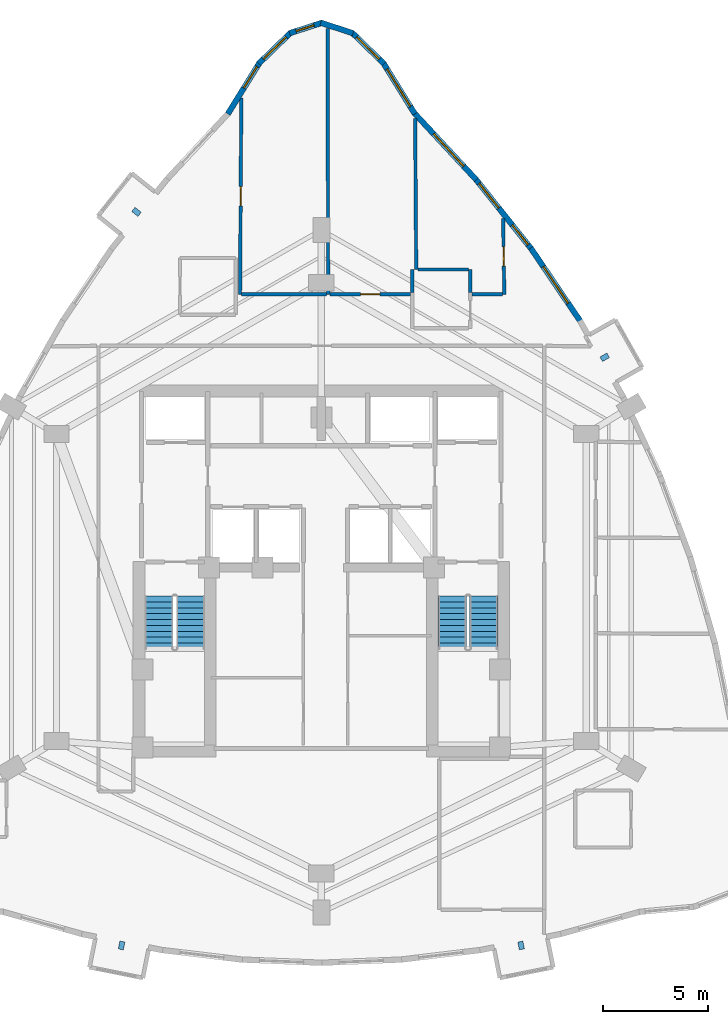
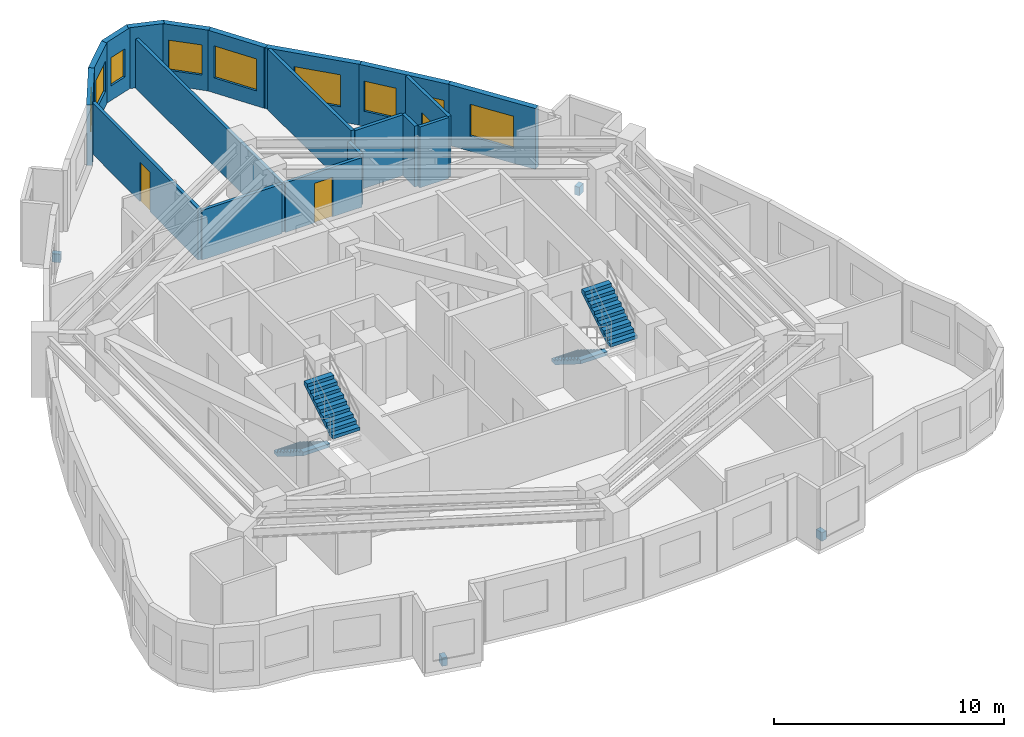
# One storey, part 7 of 8: 19 walls, 9 windows, 4 discrete accessories, 4 stair flights, 3 doors, 12 openings, 2 elements without a shape of their own.
"""IFC4 building model written with IfcOpenShell, lengths in metres."""

from ifc_helpers import new_model, si_unit, direction, frame, frame_2d, origin, origin_2d, place, context, subcontext, project, spatial, polyline, rectangle, outline, extrude, material, layer, layer_set, type_object, element, fill, aggregate, save


model = new_model("IFC4")

# Units and contexts
model_context = context("Model", 3, precision=1e-05, world=origin(), true_north=direction((0.0, 1.0)))
body_context = subcontext(model_context, "Body", "Model", "MODEL_VIEW")
ifc_project = project(units=[si_unit("LENGTHUNIT", "METRE"), si_unit("AREAUNIT", "SQUARE_METRE"), si_unit("VOLUMEUNIT", "CUBIC_METRE"), si_unit("PLANEANGLEUNIT", "RADIAN"), si_unit("MASSUNIT", "GRAM", prefix="KILO")], contexts=[model_context])

# Site, building, storey
site_placement = place(None, origin())
site = spatial("IfcSite", under=ifc_project, at=site_placement, CompositionType="ELEMENT")
building_placement = place(site_placement, origin())
building = spatial("IfcBuilding", under=site, at=building_placement, Name="Miruveldt Soraemaru", CompositionType="ELEMENT")
storey_placement = place(building_placement, frame((0.0, 0.0, 177.39990234375)))
storey = spatial("IfcBuildingStorey", under=building, at=storey_placement, Name="L49", CompositionType="ELEMENT", Elevation=177.39990234375)

# Wall, opening, window
ifc_material_1 = material(Name="Precast concrete C45/55 (45 MPa)", Category="concrete")
ifc_layer_1 = layer(ifc_material_1, 0.27001953125, Name="Precast concrete C45/55 (45 MPa)", Category="concrete")
ifc_layer_set_1 = layer_set([ifc_layer_1], Name="Precast concrete C45/55 (45 MPa)")
wall_type_1 = type_object("IfcWallType", Name="WALL-EXT-PC270", PredefinedType="SOLIDWALL", material=ifc_layer_set_1)
wall_1_placement = place(storey_placement, frame((48.448974609375, 65.631591796875, 0.0), z_axis=(0.0, 0.0, 1.0), x_axis=(-0.526027442781, 0.850467594586, 0.0)))
wall_1 = element("IfcWall", 1, at=wall_1_placement, inside=storey, type_object=wall_type_1, Name="L49 Precast Concrete Facade Wall 1", PredefinedType="SOLIDWALL", context=body_context, shape_type="SweptSolid", body=[
    extrude(rectangle(XDim=2.87744140625, YDim=0.27001953125, at=frame_2d((1.438720703125, 0.0))), origin(), (0.0, 0.0, 1.0), 3.235107421875),
])
opening_1_placement = place(wall_1_placement, frame((0.410888671875, 0.0, 0.800048828125)))
opening_1 = element("IfcOpeningElement", 2, at=opening_1_placement, cuts=wall_1, Name="Opening WN-1", PredefinedType="OPENING", context=body_context, shape_type="SweptSolid", body=[
    extrude(rectangle(XDim=2.10009765625, YDim=1.699951171875, at=frame_2d((1.050048828125, 0.85009765625))), frame((0.0, 0.14501953125, 0.0), z_axis=(0.0, -1.0, 0.0), x_axis=(1.0, 0.0, 0.0)), (0.0, 0.0, 1.0), 0.2900390625),
])
ifc_material_2 = material(Name="Triple low-e insulated glazing", Category="glass")
window_type_1 = type_object("IfcWindowType", Name="WIN-PUNCH-2100x1700", PartitioningType="SINGLE_PANEL", PredefinedType="WINDOW", material=ifc_material_2)
window_1_placement = place(opening_1_placement, origin())
window_1 = element("IfcWindow", 3, at=window_1_placement, inside=storey, type_object=window_type_1, Name="L49 Punched Triple-Glazed Window 01.1", OverallHeight=1.699951171875, OverallWidth=2.10009765625, PartitioningType="SINGLE_PANEL", PredefinedType="WINDOW", context=body_context, shape_type="SweptSolid", body=[
    extrude(rectangle(XDim=2.10009765625, YDim=1.699951171875, at=frame_2d((1.050048828125, 0.85009765625))), frame((0.0, 0.030029296875, 0.0), z_axis=(0.0, -1.0, 0.0), x_axis=(1.0, 0.0, 0.0)), (0.0, 0.0, 1.0), 0.06005859375),
])
fill(opening_1, window_1)

wall_2_placement = place(storey_placement, frame((46.978759765625, 68.024658203125, 0.0), z_axis=(0.0, 0.0, 1.0), x_axis=(-0.717756117481, 0.696294589824, 0.0)))
wall_2 = element("IfcWall", 4, at=wall_2_placement, inside=storey, type_object=wall_type_1, Name="L49 Precast Concrete Facade Wall 2", PredefinedType="SOLIDWALL", context=body_context, shape_type="SweptSolid", body=[
    extrude(rectangle(XDim=2.127197265625, YDim=0.27001953125, at=frame_2d((1.0634765625, 0.0))), origin(), (0.0, 0.0, 1.0), 3.235107421875),
])
opening_2_placement = place(wall_2_placement, frame((0.31396484375, 0.0, 0.800048828125)))
opening_2 = element("IfcOpeningElement", 5, at=opening_2_placement, cuts=wall_2, Name="Opening WN-3", PredefinedType="OPENING", context=body_context, shape_type="SweptSolid", body=[
    extrude(rectangle(XDim=1.5, YDim=1.60009765625, at=frame_2d((0.75, 0.800048828125))), frame((0.0, 0.14501953125, 0.0), z_axis=(0.0, -1.0, 0.0), x_axis=(1.0, 0.0, 0.0)), (0.0, 0.0, 1.0), 0.2900390625),
])
window_type_2 = type_object("IfcWindowType", Name="WIN-PUNCH-1500x1600", PartitioningType="SINGLE_PANEL", PredefinedType="WINDOW", material=ifc_material_2)
window_2_placement = place(opening_2_placement, origin())
window_2 = element("IfcWindow", 6, at=window_2_placement, inside=storey, type_object=window_type_2, Name="L49 Punched Triple-Glazed Window 02.1", OverallHeight=1.60009765625, OverallWidth=1.5, PartitioningType="SINGLE_PANEL", PredefinedType="WINDOW", context=body_context, shape_type="SweptSolid", body=[
    extrude(rectangle(XDim=1.5, YDim=1.60009765625, at=frame_2d((0.75, 0.800048828125))), frame((0.0, 0.030029296875, 0.0), z_axis=(0.0, -1.0, 0.0), x_axis=(1.0, 0.0, 0.0)), (0.0, 0.0, 1.0), 0.06005859375),
])
fill(opening_2, window_2)

# Wall
wall_3_placement = place(storey_placement, frame((45.51025390625, 69.470703125, 0.0), z_axis=(0.0, 0.0, 1.0), x_axis=(-0.951504137701, 0.307635947083, 0.0)))
element("IfcWall", 7, at=wall_3_placement, inside=storey, type_object=wall_type_1, Name="L49 Precast Concrete Facade Wall 3", PredefinedType="SOLIDWALL", context=body_context, shape_type="SweptSolid", body=[
    extrude(rectangle(XDim=1.6220703125, YDim=0.27001953125, at=frame_2d((0.81103515625, 0.0))), origin(), (0.0, 0.0, 1.0), 3.235107421875),
])

# Wall, opening, window
wall_4_placement = place(storey_placement, frame((44.033203125, 69.9697265625, 0.0), z_axis=(0.0, 0.0, 1.0), x_axis=(-0.951504137701, -0.307635947083, 0.0)))
wall_4 = element("IfcWall", 8, at=wall_4_placement, inside=storey, type_object=wall_type_1, Name="L49 Precast Concrete Facade Wall 4", PredefinedType="SOLIDWALL", context=body_context, shape_type="SweptSolid", body=[
    extrude(rectangle(XDim=1.6220703125, YDim=0.27001953125, at=frame_2d((0.81103515625, 0.0))), origin(), (0.0, 0.0, 1.0), 3.235107421875),
])
opening_3_placement = place(wall_4_placement, frame((0.39501953125, 0.0, 0.780029296875)))
opening_3 = element("IfcOpeningElement", 9, at=opening_3_placement, cuts=wall_4, Name="Opening WN-7", PredefinedType="OPENING", context=body_context, shape_type="SweptSolid", body=[
    extrude(rectangle(XDim=0.89990234375, YDim=1.5, at=frame_2d((0.449951171875, 0.75))), frame((0.0, 0.14501953125, 0.0), z_axis=(0.0, -1.0, 0.0), x_axis=(1.0, 0.0, 0.0)), (0.0, 0.0, 1.0), 0.2900390625),
])
window_type_3 = type_object("IfcWindowType", Name="WIN-PUNCH-900x1500", PartitioningType="SINGLE_PANEL", PredefinedType="WINDOW", material=ifc_material_2)
window_3_placement = place(opening_3_placement, origin())
window_3 = element("IfcWindow", 10, at=window_3_placement, inside=storey, type_object=window_type_3, Name="L49 Punched Triple-Glazed Window 04.1", OverallHeight=1.5, OverallWidth=0.89990234375, PartitioningType="SINGLE_PANEL", PredefinedType="WINDOW", context=body_context, shape_type="SweptSolid", body=[
    extrude(rectangle(XDim=0.89990234375, YDim=1.5, at=frame_2d((0.449951171875, 0.75))), frame((0.0, 0.030029296875, 0.0), z_axis=(0.0, -1.0, 0.0), x_axis=(1.0, 0.0, 0.0)), (0.0, 0.0, 1.0), 0.06005859375),
])
fill(opening_3, window_3)

wall_5_placement = place(storey_placement, frame((42.548095703125, 69.505859375, 0.0), z_axis=(0.0, 0.0, 1.0), x_axis=(-0.717756117481, -0.696294589824, 0.0)))
wall_5 = element("IfcWall", 11, at=wall_5_placement, inside=storey, type_object=wall_type_1, Name="L49 Precast Concrete Facade Wall 5", PredefinedType="SOLIDWALL", context=body_context, shape_type="SweptSolid", body=[
    extrude(rectangle(XDim=2.127197265625, YDim=0.27001953125, at=frame_2d((1.0634765625, 0.0))), origin(), (0.0, 0.0, 1.0), 3.235107421875),
])
opening_4_placement = place(wall_5_placement, frame((0.31396484375, 0.0, 0.800048828125)))
opening_4 = element("IfcOpeningElement", 12, at=opening_4_placement, cuts=wall_5, Name="Opening WN-3", PredefinedType="OPENING", context=body_context, shape_type="SweptSolid", body=[
    extrude(rectangle(XDim=1.5, YDim=1.60009765625, at=frame_2d((0.75, 0.800048828125))), frame((0.0, 0.14501953125, 0.0), z_axis=(0.0, -1.0, 0.0), x_axis=(1.0, 0.0, 0.0)), (0.0, 0.0, 1.0), 0.2900390625),
])
window_4_placement = place(opening_4_placement, origin())
window_4 = element("IfcWindow", 13, at=window_4_placement, inside=storey, type_object=window_type_2, Name="L49 Punched Triple-Glazed Window 05.1", OverallHeight=1.60009765625, OverallWidth=1.5, PartitioningType="SINGLE_PANEL", PredefinedType="WINDOW", context=body_context, shape_type="SweptSolid", body=[
    extrude(rectangle(XDim=1.5, YDim=1.60009765625, at=frame_2d((0.75, 0.800048828125))), frame((0.0, 0.030029296875, 0.0), z_axis=(0.0, -1.0, 0.0), x_axis=(1.0, 0.0, 0.0)), (0.0, 0.0, 1.0), 0.06005859375),
])
fill(opening_4, window_4)

wall_6_placement = place(storey_placement, frame((41.064697265625, 68.078857421875, 0.0), z_axis=(0.0, 0.0, 1.0), x_axis=(-0.526027442781, -0.850467594586, 0.0)))
wall_6 = element("IfcWall", 14, at=wall_6_placement, inside=storey, type_object=wall_type_1, Name="L49 Precast Concrete Facade Wall 6", PredefinedType="SOLIDWALL", context=body_context, shape_type="SweptSolid", body=[
    extrude(rectangle(XDim=2.87744140625, YDim=0.27001953125, at=frame_2d((1.438720703125, 0.0))), origin(), (0.0, 0.0, 1.0), 3.235107421875),
])
opening_5_placement = place(wall_6_placement, frame((0.23095703125, 0.0, 0.780029296875)))
opening_5 = element("IfcOpeningElement", 15, at=opening_5_placement, cuts=wall_6, Name="Opening WN-4", PredefinedType="OPENING", context=body_context, shape_type="SweptSolid", body=[
    extrude(rectangle(XDim=1.199951171875, YDim=1.550048828125, at=frame_2d((0.60009765625, 0.77490234375))), frame((0.0, 0.14501953125, 0.0), z_axis=(0.0, -1.0, 0.0), x_axis=(1.0, 0.0, 0.0)), (0.0, 0.0, 1.0), 0.2900390625),
])
window_type_4 = type_object("IfcWindowType", Name="WIN-PUNCH-1200x1550", PartitioningType="SINGLE_PANEL", PredefinedType="WINDOW", material=ifc_material_2)
window_5_placement = place(opening_5_placement, origin())
window_5 = element("IfcWindow", 16, at=window_5_placement, inside=storey, type_object=window_type_4, Name="L49 Punched Triple-Glazed Window 06.1", OverallHeight=1.550048828125, OverallWidth=1.199951171875, PartitioningType="SINGLE_PANEL", PredefinedType="WINDOW", context=body_context, shape_type="SweptSolid", body=[
    extrude(rectangle(XDim=1.199951171875, YDim=1.550048828125, at=frame_2d((0.60009765625, 0.77490234375))), frame((0.0, 0.030029296875, 0.0), z_axis=(0.0, -1.0, 0.0), x_axis=(1.0, 0.0, 0.0)), (0.0, 0.0, 1.0), 0.06005859375),
])
fill(opening_5, window_5)

wall_7_placement = place(storey_placement, frame((56.337158203125, 55.745849609375, 0.0), z_axis=(0.0, 0.0, 1.0), x_axis=(-0.560820092429, 0.827937693265, 0.0)))
wall_7 = element("IfcWall", 17, at=wall_7_placement, inside=storey, type_object=wall_type_1, Name="L49 Precast Concrete Facade Wall 40", PredefinedType="SOLIDWALL", context=body_context, shape_type="SweptSolid", body=[
    extrude(rectangle(XDim=4.233642578125, YDim=0.27001953125, at=frame_2d((2.11669921875, 0.0))), origin(), (0.0, 0.0, 1.0), 3.235107421875),
])
opening_6_placement = place(wall_7_placement, frame((1.06689453125, 0.0, 0.800048828125)))
opening_6 = element("IfcOpeningElement", 18, at=opening_6_placement, cuts=wall_7, Name="Opening WN-1", PredefinedType="OPENING", context=body_context, shape_type="SweptSolid", body=[
    extrude(rectangle(XDim=2.10009765625, YDim=1.699951171875, at=frame_2d((1.050048828125, 0.85009765625))), frame((0.0, 0.14501953125, 0.0), z_axis=(0.0, -1.0, 0.0), x_axis=(1.0, 0.0, 0.0)), (0.0, 0.0, 1.0), 0.2900390625),
])
window_6_placement = place(opening_6_placement, origin())
window_6 = element("IfcWindow", 19, at=window_6_placement, inside=storey, type_object=window_type_1, Name="L49 Punched Triple-Glazed Window 40.1", OverallHeight=1.699951171875, OverallWidth=2.10009765625, PartitioningType="SINGLE_PANEL", PredefinedType="WINDOW", context=body_context, shape_type="SweptSolid", body=[
    extrude(rectangle(XDim=2.10009765625, YDim=1.699951171875, at=frame_2d((1.050048828125, 0.85009765625))), frame((0.0, 0.030029296875, 0.0), z_axis=(0.0, -1.0, 0.0), x_axis=(1.0, 0.0, 0.0)), (0.0, 0.0, 1.0), 0.06005859375),
])
fill(opening_6, window_6)

# Wall, openings, windows
wall_8_placement = place(storey_placement, frame((54.00439453125, 59.194580078125, 0.0), z_axis=(0.0, 0.0, 1.0), x_axis=(-0.623603753029, 0.781740595855, 0.0)))
wall_8 = element("IfcWall", 20, at=wall_8_placement, inside=storey, type_object=wall_type_1, Name="L49 Precast Concrete Facade Wall 41", PredefinedType="SOLIDWALL", context=body_context, shape_type="SweptSolid", body=[
    extrude(rectangle(XDim=4.28564453125, YDim=0.27001953125, at=frame_2d((2.142822265625, 0.0))), origin(), (0.0, 0.0, 1.0), 3.235107421875),
])
opening_7_placement = place(wall_8_placement, frame((0.27392578125, 0.0, 0.780029296875)))
opening_7 = element("IfcOpeningElement", 21, at=opening_7_placement, cuts=wall_8, Name="Opening WN-4", PredefinedType="OPENING", context=body_context, shape_type="SweptSolid", body=[
    extrude(rectangle(XDim=1.199951171875, YDim=1.550048828125, at=frame_2d((0.60009765625, 0.77490234375))), frame((0.0, 0.14501953125, 0.0), z_axis=(0.0, -1.0, 0.0), x_axis=(1.0, 0.0, 0.0)), (0.0, 0.0, 1.0), 0.2900390625),
])
opening_8_placement = place(wall_8_placement, frame((2.507080078125, 0.0, 0.800048828125)))
opening_8 = element("IfcOpeningElement", 22, at=opening_8_placement, cuts=wall_8, Name="Opening WN-3", PredefinedType="OPENING", context=body_context, shape_type="SweptSolid", body=[
    extrude(rectangle(XDim=1.5, YDim=1.60009765625, at=frame_2d((0.75, 0.800048828125))), frame((0.0, 0.14501953125, 0.0), z_axis=(0.0, -1.0, 0.0), x_axis=(1.0, 0.0, 0.0)), (0.0, 0.0, 1.0), 0.2900390625),
])
window_7_placement = place(opening_7_placement, origin())
window_7 = element("IfcWindow", 23, at=window_7_placement, inside=storey, type_object=window_type_4, Name="L49 Punched Triple-Glazed Window 41.1", OverallHeight=1.550048828125, OverallWidth=1.199951171875, PartitioningType="SINGLE_PANEL", PredefinedType="WINDOW", context=body_context, shape_type="SweptSolid", body=[
    extrude(rectangle(XDim=1.199951171875, YDim=1.550048828125, at=frame_2d((0.60009765625, 0.77490234375))), frame((0.0, 0.030029296875, 0.0), z_axis=(0.0, -1.0, 0.0), x_axis=(1.0, 0.0, 0.0)), (0.0, 0.0, 1.0), 0.06005859375),
])
fill(opening_7, window_7)
window_8_placement = place(opening_8_placement, origin())
window_8 = element("IfcWindow", 24, at=window_8_placement, inside=storey, type_object=window_type_2, Name="L49 Punched Triple-Glazed Window 41.2", OverallHeight=1.60009765625, OverallWidth=1.5, PartitioningType="SINGLE_PANEL", PredefinedType="WINDOW", context=body_context, shape_type="SweptSolid", body=[
    extrude(rectangle(XDim=1.5, YDim=1.60009765625, at=frame_2d((0.75, 0.800048828125))), frame((0.0, 0.030029296875, 0.0), z_axis=(0.0, -1.0, 0.0), x_axis=(1.0, 0.0, 0.0)), (0.0, 0.0, 1.0), 0.06005859375),
])
fill(opening_8, window_8)

# Wall, opening, window
wall_9_placement = place(storey_placement, frame((51.377197265625, 62.491943359375, 0.0), z_axis=(0.0, 0.0, 1.0), x_axis=(-0.680895300914, 0.732380767902, 0.0)))
wall_9 = element("IfcWall", 25, at=wall_9_placement, inside=storey, type_object=wall_type_1, Name="L49 Precast Concrete Facade Wall 42", PredefinedType="SOLIDWALL", context=body_context, shape_type="SweptSolid", body=[
    extrude(rectangle(XDim=4.362548828125, YDim=0.27001953125, at=frame_2d((2.18115234375, 0.0))), origin(), (0.0, 0.0, 1.0), 3.235107421875),
])
opening_9_placement = place(wall_9_placement, frame((0.89111328125, 0.0, 0.800048828125)))
opening_9 = element("IfcOpeningElement", 26, at=opening_9_placement, cuts=wall_9, Name="Opening WN-1", PredefinedType="OPENING", context=body_context, shape_type="SweptSolid", body=[
    extrude(rectangle(XDim=2.10009765625, YDim=1.699951171875, at=frame_2d((1.050048828125, 0.85009765625))), frame((0.0, 0.14501953125, 0.0), z_axis=(0.0, -1.0, 0.0), x_axis=(1.0, 0.0, 0.0)), (0.0, 0.0, 1.0), 0.2900390625),
])
window_9_placement = place(opening_9_placement, origin())
window_9 = element("IfcWindow", 27, at=window_9_placement, inside=storey, type_object=window_type_1, Name="L49 Punched Triple-Glazed Window 42.1", OverallHeight=1.699951171875, OverallWidth=2.10009765625, PartitioningType="SINGLE_PANEL", PredefinedType="WINDOW", context=body_context, shape_type="SweptSolid", body=[
    extrude(rectangle(XDim=2.10009765625, YDim=1.699951171875, at=frame_2d((1.050048828125, 0.85009765625))), frame((0.0, 0.030029296875, 0.0), z_axis=(0.0, -1.0, 0.0), x_axis=(1.0, 0.0, 0.0)), (0.0, 0.0, 1.0), 0.06005859375),
])
fill(opening_9, window_9)

# Wall, opening, door
ifc_material_3 = material(Name="Concrete C40/50 (40 MPa)", Category="concrete")
ifc_layer_2 = layer(ifc_material_3, 0.159912109375, Name="Concrete C40/50 (40 MPa)", Category="concrete")
ifc_layer_set_2 = layer_set([ifc_layer_2], Name="Concrete C40/50 (40 MPa)")
wall_type_2 = type_object("IfcWallType", Name="WALL-INT-RC160", PredefinedType="SOLIDWALL", material=ifc_layer_set_2)
wall_10_placement = place(storey_placement, frame((40.132080078125, 57.050048828125, 0.0), z_axis=(0.0, 0.0, 1.0), x_axis=(0.006408783315, 0.999979463537, 0.0)))
wall_10 = element("IfcWall", 28, at=wall_10_placement, inside=storey, type_object=wall_type_2, Name="L49 Partition Wall 14", PredefinedType="SOLIDWALL", context=body_context, shape_type="SweptSolid", body=[
    extrude(rectangle(XDim=9.333251953125, YDim=0.159912109375, at=frame_2d((4.66650390625, 0.0))), origin(), (0.0, 0.0, 1.0), 2.72314453125),
])
opening_10_placement = place(wall_10_placement, frame((4.20703125, 0.0, 0.0)))
opening_10 = element("IfcOpeningElement", 29, at=opening_10_placement, cuts=wall_10, Name="Opening D3A", PredefinedType="OPENING", context=body_context, shape_type="SweptSolid", body=[
    extrude(rectangle(XDim=0.919921875, YDim=2.10009765625, at=frame_2d((0.4599609375, 1.050048828125))), frame((0.0, 0.08984375, 0.0), z_axis=(0.0, -1.0, 0.0), x_axis=(1.0, 0.0, 0.0)), (0.0, 0.0, 1.0), 0.179931640625),
])
ifc_material_4 = material(Name="Anodised aluminium EN AW-6063 T6", Category="aluminium")
door_type = type_object("IfcDoorType", Name="DOOR-INT-920", OperationType="NOTDEFINED", PredefinedType="DOOR", material=ifc_material_4)
door_1_placement = place(opening_10_placement, origin())
door_1 = element("IfcDoor", 30, at=door_1_placement, inside=storey, type_object=door_type, Name="L49 Unit 4901 BD1 Door", OperationType="SINGLE_SWING_LEFT", OverallHeight=2.10009765625, OverallWidth=0.919921875, PredefinedType="DOOR", context=body_context, shape_type="SweptSolid", body=[
    extrude(rectangle(XDim=0.919921875, YDim=2.10009765625, at=frame_2d((0.4599609375, 1.050048828125))), frame((0.0, 0.02490234375, 0.0), z_axis=(0.0, -1.0, 0.0), x_axis=(1.0, 0.0, 0.0)), (0.0, 0.0, 1.0), 0.050048828125),
])
fill(opening_10, door_1)

wall_11_placement = place(storey_placement, frame((48.2451171875, 57.050048828125, 0.0), z_axis=(0.0, 0.0, 1.0), x_axis=(-1.0, 0.0, 0.0)))
wall_11 = element("IfcWall", 31, at=wall_11_placement, inside=storey, type_object=wall_type_2, Name="L49 Partition Wall 15", PredefinedType="SOLIDWALL", context=body_context, shape_type="SweptSolid", body=[
    extrude(rectangle(XDim=3.843017578125, YDim=0.159912109375, at=frame_2d((1.92138671875, 0.0))), origin(), (0.0, 0.0, 1.0), 2.635009765625),
])
opening_11_placement = place(wall_11_placement, frame((1.4609375, 0.0, 0.0)))
opening_11 = element("IfcOpeningElement", 32, at=opening_11_placement, cuts=wall_11, Name="Opening D3A", PredefinedType="OPENING", context=body_context, shape_type="SweptSolid", body=[
    extrude(rectangle(XDim=0.919921875, YDim=2.10009765625, at=frame_2d((0.4599609375, 1.050048828125))), frame((0.0, 0.08984375, 0.0), z_axis=(0.0, -1.0, 0.0), x_axis=(1.0, 0.0, 0.0)), (0.0, 0.0, 1.0), 0.179931640625),
])
door_2_placement = place(opening_11_placement, origin())
door_2 = element("IfcDoor", 33, at=door_2_placement, inside=storey, type_object=door_type, Name="L49 Unit 4901 BD2 Door", OperationType="SINGLE_SWING_RIGHT", OverallHeight=2.10009765625, OverallWidth=0.919921875, PredefinedType="DOOR", context=body_context, shape_type="SweptSolid", body=[
    extrude(rectangle(XDim=0.919921875, YDim=2.10009765625, at=frame_2d((0.4599609375, 1.050048828125))), frame((0.0, 0.02490234375, 0.0), z_axis=(0.0, -1.0, 0.0), x_axis=(1.0, 0.0, 0.0)), (0.0, 0.0, 1.0), 0.050048828125),
])
fill(opening_11, door_2)

wall_12_placement = place(storey_placement, frame((52.64697265625, 60.655029296875, 0.0), z_axis=(0.0, 0.0, 1.0), x_axis=(0.015235939552, -0.999883926336, 0.0)))
wall_12 = element("IfcWall", 34, at=wall_12_placement, inside=storey, type_object=wall_type_2, Name="L49 Partition Wall 16", PredefinedType="SOLIDWALL", context=body_context, shape_type="SweptSolid", body=[
    extrude(rectangle(XDim=3.60546875, YDim=0.159912109375, at=frame_2d((1.802734375, 0.0))), origin(), (0.0, 0.0, 1.0), 3.235107421875),
])
opening_12_placement = place(wall_12_placement, frame((1.343017578125, 0.0, 0.0)))
opening_12 = element("IfcOpeningElement", 35, at=opening_12_placement, cuts=wall_12, Name="Opening D3A", PredefinedType="OPENING", context=body_context, shape_type="SweptSolid", body=[
    extrude(rectangle(XDim=0.919921875, YDim=2.10009765625, at=frame_2d((0.4599609375, 1.050048828125))), frame((0.0, 0.08984375, 0.0), z_axis=(0.0, -1.0, 0.0), x_axis=(1.0, 0.0, 0.0)), (0.0, 0.0, 1.0), 0.179931640625),
])
door_3_placement = place(opening_12_placement, origin())
door_3 = element("IfcDoor", 36, at=door_3_placement, inside=storey, type_object=door_type, Name="L49 Unit 4901 BD3 Door", OperationType="SINGLE_SWING_LEFT", OverallHeight=2.10009765625, OverallWidth=0.919921875, PredefinedType="DOOR", context=body_context, shape_type="SweptSolid", body=[
    extrude(rectangle(XDim=0.919921875, YDim=2.10009765625, at=frame_2d((0.4599609375, 1.050048828125))), frame((0.0, 0.02490234375, 0.0), z_axis=(0.0, -1.0, 0.0), x_axis=(1.0, 0.0, 0.0)), (0.0, 0.0, 1.0), 0.050048828125),
])
fill(opening_12, door_3)

# Walls
wall_13_placement = place(storey_placement, frame((44.322021484375, 57.050048828125, 0.0), z_axis=(0.0, 0.0, 1.0), x_axis=(-0.001736409954, 0.999998492439, 0.0)))
element("IfcWall", 37, at=wall_13_placement, inside=storey, type_object=wall_type_2, Name="L49 Partition Wall 23", PredefinedType="SOLIDWALL", context=body_context, shape_type="SweptSolid", body=[
    extrude(rectangle(XDim=12.654052734375, YDim=0.159912109375, at=frame_2d((6.3271484375, 0.0))), origin(), (0.0, 0.0, 1.0), 2.635009765625),
])
wall_14_placement = place(storey_placement, frame((48.511962890625, 58.22998046875, 0.0), z_axis=(0.0, 0.0, 1.0), x_axis=(-0.007107455229, 0.999974741721, 0.0)))
element("IfcWall", 38, at=wall_14_placement, inside=storey, type_object=wall_type_2, Name="L49 Partition Wall 24", PredefinedType="SOLIDWALL", context=body_context, shape_type="SweptSolid", body=[
    extrude(rectangle(XDim=7.17919921875, YDim=0.159912109375, at=frame_2d((3.589599609375, 0.0))), origin(), (0.0, 0.0, 1.0), 3.235107421875),
])
wall_15_placement = place(storey_placement, frame((44.241943359375, 57.050048828125, 0.0), z_axis=(0.0, 0.0, 1.0), x_axis=(-1.0, 0.0, 0.0)))
element("IfcWall", 39, at=wall_15_placement, inside=storey, type_object=wall_type_2, Name="L49 Partition Wall 13", PredefinedType="SOLIDWALL", context=body_context, shape_type="SweptSolid", body=[
    extrude(rectangle(XDim=4.030029296875, YDim=0.159912109375, at=frame_2d((2.01513671875, 0.0))), origin(), (0.0, 0.0, 1.0), 2.635009765625),
])
wall_16_placement = place(storey_placement, frame((50.9951171875, 58.22998046875, 0.0), z_axis=(0.0, 0.0, 1.0), x_axis=(-1.0, 0.0, 0.0)))
element("IfcWall", 40, at=wall_16_placement, inside=storey, type_object=wall_type_2, Name="L49 Partition Wall 22", PredefinedType="SOLIDWALL", context=body_context, shape_type="SweptSolid", body=[
    extrude(rectangle(XDim=2.403076171875, YDim=0.159912109375, at=frame_2d((1.20166015625, 0.0))), origin(), (0.0, 0.0, 1.0), 3.235107421875),
])
wall_17_placement = place(storey_placement, frame((52.6220703125, 57.050048828125, 0.0), z_axis=(0.0, 0.0, 1.0), x_axis=(-1.0, 0.0, 0.0)))
element("IfcWall", 41, at=wall_17_placement, inside=storey, type_object=wall_type_2, Name="L49 Partition Wall 17", PredefinedType="SOLIDWALL", context=body_context, shape_type="SweptSolid", body=[
    extrude(rectangle(XDim=1.467041015625, YDim=0.159912109375, at=frame_2d((0.7333984375, 0.0))), origin(), (0.0, 0.0, 1.0), 3.235107421875),
])
wall_18_placement = place(storey_placement, frame((48.324951171875, 58.22998046875, 0.0), z_axis=(0.0, 0.0, 1.0), x_axis=(0.0, -1.0, 0.0)))
element("IfcWall", 42, at=wall_18_placement, inside=storey, type_object=wall_type_2, Name="L49 Partition Wall 20", PredefinedType="SOLIDWALL", context=body_context, shape_type="SweptSolid", body=[
    extrude(rectangle(XDim=1.090087890625, YDim=0.159912109375, at=frame_2d((0.544921875, 0.0))), origin(), (0.0, 0.0, 1.0), 2.72314453125),
])
wall_19_placement = place(storey_placement, frame((51.074951171875, 57.139892578125, 0.0), z_axis=(0.0, 0.0, 1.0), x_axis=(0.0, 1.0, 0.0)))
element("IfcWall", 43, at=wall_19_placement, inside=storey, type_object=wall_type_2, Name="L49 Partition Wall 21", PredefinedType="SOLIDWALL", context=body_context, shape_type="SweptSolid", body=[
    extrude(rectangle(XDim=1.090087890625, YDim=0.159912109375, at=frame_2d((0.544921875, 0.0))), origin(), (0.0, 0.0, 1.0), 3.235107421875),
])

# Stair, stair flights
stair_type = type_object("IfcStairType", Name="STAIR-DL-350", PredefinedType="HALF_TURN_STAIR", material=ifc_material_3)
stair_1_placement = place(storey_placement, origin())
stair_1 = element("IfcStair", 44, at=stair_1_placement, inside=storey, type_object=stair_type, Name="L49 Protected Exit Stair ST-1", PredefinedType="HALF_TURN_STAIR")
stair_flight_type = type_object("IfcStairFlightType", Name="SFL-DL-350", PredefinedType="STRAIGHT", material=ifc_material_3)
stair_flight_1_placement = place(storey_placement, frame((36.27490234375, 42.699951171875, 0.0), z_axis=(0.0, 0.0, 1.0), x_axis=(0.0, -1.0, 0.0)))
stair_flight_1 = element("IfcStairFlight", 45, at=stair_flight_1_placement, type_object=stair_flight_type, Name="ST-1 flight 1", NumberOfRisers=10, NumberOfTreads=9, PredefinedType="STRAIGHT", RiserHeight=0.175, TreadLength=0.28, context=body_context, shape_type="SweptSolid", body=[
    extrude(outline(polyline([(0.0, 0.0), (0.0, 0.175048828125), (0.280029296875, 0.175048828125), (0.280029296875, 0.35009765625), (0.56005859375, 0.35009765625), (0.56005859375, 0.52490234375), (0.840087890625, 0.52490234375), (0.840087890625, 0.699951171875), (1.1201171875, 0.699951171875), (1.1201171875, 0.875), (1.39990234375, 0.875), (1.39990234375, 1.050048828125), (1.679931640625, 1.050048828125), (1.679931640625, 1.22509765625), (1.9599609375, 1.22509765625), (1.9599609375, 1.39990234375), (2.239990234375, 1.39990234375), (2.239990234375, 1.574951171875), (2.52001953125, 1.574951171875), (2.52001953125, 1.75), (2.52001953125, 1.386474609375), (0.3017578125, 0.0), (0.0, 0.0)])), frame((0.0, 0.675048828125, 0.0), z_axis=(0.0, -1.0, 0.0), x_axis=(1.0, 0.0, 0.0)), (0.0, 0.0, 1.0), 1.35009765625),
])
stair_flight_2_placement = place(storey_placement, frame((37.77490234375, 40.179931640625, 1.75), z_axis=(0.0, 0.0, 1.0), x_axis=(0.0, 1.0, 0.0)))
stair_flight_2 = element("IfcStairFlight", 46, at=stair_flight_2_placement, type_object=stair_flight_type, Name="ST-1 flight 2", NumberOfRisers=10, NumberOfTreads=9, PredefinedType="STRAIGHT", RiserHeight=0.175, TreadLength=0.28, context=body_context, shape_type="SweptSolid", body=[
    extrude(outline(polyline([(0.0, 0.0), (0.0, 0.175048828125), (0.280029296875, 0.175048828125), (0.280029296875, 0.35009765625), (0.56005859375, 0.35009765625), (0.56005859375, 0.52490234375), (0.840087890625, 0.52490234375), (0.840087890625, 0.699951171875), (1.1201171875, 0.699951171875), (1.1201171875, 0.875), (1.39990234375, 0.875), (1.39990234375, 1.050048828125), (1.679931640625, 1.050048828125), (1.679931640625, 1.22509765625), (1.9599609375, 1.22509765625), (1.9599609375, 1.39990234375), (2.239990234375, 1.39990234375), (2.239990234375, 1.574951171875), (2.52001953125, 1.574951171875), (2.52001953125, 1.75), (2.52001953125, 1.386474609375), (0.3017578125, 0.0), (0.0, 0.0)])), frame((0.0, 0.675048828125, 0.0), z_axis=(0.0, -1.0, 0.0), x_axis=(1.0, 0.0, 0.0)), (0.0, 0.0, 1.0), 1.35009765625),
])
aggregate(stair_1, [stair_flight_1, stair_flight_2])

stair_2_placement = place(storey_placement, origin())
stair_2 = element("IfcStair", 47, at=stair_2_placement, inside=storey, type_object=stair_type, Name="L49 Protected Exit Stair ST-2", PredefinedType="HALF_TURN_STAIR")
stair_flight_3_placement = place(storey_placement, frame((50.22509765625, 42.699951171875, 0.0), z_axis=(0.0, 0.0, 1.0), x_axis=(0.0, -1.0, 0.0)))
stair_flight_3 = element("IfcStairFlight", 48, at=stair_flight_3_placement, type_object=stair_flight_type, Name="ST-2 flight 1", NumberOfRisers=10, NumberOfTreads=9, PredefinedType="STRAIGHT", RiserHeight=0.175, TreadLength=0.28, context=body_context, shape_type="SweptSolid", body=[
    extrude(outline(polyline([(0.0, 0.0), (0.0, 0.175048828125), (0.280029296875, 0.175048828125), (0.280029296875, 0.35009765625), (0.56005859375, 0.35009765625), (0.56005859375, 0.52490234375), (0.840087890625, 0.52490234375), (0.840087890625, 0.699951171875), (1.1201171875, 0.699951171875), (1.1201171875, 0.875), (1.39990234375, 0.875), (1.39990234375, 1.050048828125), (1.679931640625, 1.050048828125), (1.679931640625, 1.22509765625), (1.9599609375, 1.22509765625), (1.9599609375, 1.39990234375), (2.239990234375, 1.39990234375), (2.239990234375, 1.574951171875), (2.52001953125, 1.574951171875), (2.52001953125, 1.75), (2.52001953125, 1.386474609375), (0.3017578125, 0.0), (0.0, 0.0)])), frame((0.0, 0.675048828125, 0.0), z_axis=(0.0, -1.0, 0.0), x_axis=(1.0, 0.0, 0.0)), (0.0, 0.0, 1.0), 1.35009765625),
])
stair_flight_4_placement = place(storey_placement, frame((51.72509765625, 40.179931640625, 1.75), z_axis=(0.0, 0.0, 1.0), x_axis=(0.0, 1.0, 0.0)))
stair_flight_4 = element("IfcStairFlight", 49, at=stair_flight_4_placement, type_object=stair_flight_type, Name="ST-2 flight 2", NumberOfRisers=10, NumberOfTreads=9, PredefinedType="STRAIGHT", RiserHeight=0.175, TreadLength=0.28, context=body_context, shape_type="SweptSolid", body=[
    extrude(outline(polyline([(0.0, 0.0), (0.0, 0.175048828125), (0.280029296875, 0.175048828125), (0.280029296875, 0.35009765625), (0.56005859375, 0.35009765625), (0.56005859375, 0.52490234375), (0.840087890625, 0.52490234375), (0.840087890625, 0.699951171875), (1.1201171875, 0.699951171875), (1.1201171875, 0.875), (1.39990234375, 0.875), (1.39990234375, 1.050048828125), (1.679931640625, 1.050048828125), (1.679931640625, 1.22509765625), (1.9599609375, 1.22509765625), (1.9599609375, 1.39990234375), (2.239990234375, 1.39990234375), (2.239990234375, 1.574951171875), (2.52001953125, 1.574951171875), (2.52001953125, 1.75), (2.52001953125, 1.386474609375), (0.3017578125, 0.0), (0.0, 0.0)])), frame((0.0, 0.675048828125, 0.0), z_axis=(0.0, -1.0, 0.0), x_axis=(1.0, 0.0, 0.0)), (0.0, 0.0, 1.0), 1.35009765625),
])
aggregate(stair_2, [stair_flight_3, stair_flight_4])

# Discrete accessories
ifc_material_5 = material(Name="Steel SM355 (355 MPa)", Category="steel")
discrete_accessory_type = type_object("IfcDiscreteAccessoryType", Name="ACC-BAY-BRK", PredefinedType="BRACKET", material=ifc_material_5)
for number, where, z_axis, x_axis, name in (
    (50, (34.498046875, 26.075439453125, -0.7099609375), (0.0, 0.0, 1.0), (-0.196100176415, -0.980583867301, 0.0), "L49 Bay Window Cantilever Bracket 1"),
    (51, (53.501953125, 26.075439453125, -0.7099609375), (0.0, 0.0, 1.0), (0.196100176415, -0.980583867301, 0.0), "L49 Bay Window Cantilever Bracket 2"),
    (52, (57.477294921875, 54.054443359375, -0.7099609375), (0.0, 0.0, 1.0), (0.869822332902, 0.493365087117, 0.0), "L49 Bay Window Cantilever Bracket 3"),
    (53, (35.206787109375, 60.969482421875, -0.7099609375), (0.0, 0.0, 1.0), (-0.781727315753, 0.623620400408, 0.0), "L49 Bay Window Cantilever Bracket 4"),
):
    element("IfcDiscreteAccessory", number, at=place(storey_placement, frame(where, z_axis=z_axis, x_axis=x_axis)), inside=storey, type_object=discrete_accessory_type, Name=name, PredefinedType="BRACKET", context=body_context, shape_type="SweptSolid", body=[
        extrude(rectangle(XDim=0.3798828125, YDim=0.25, at=origin_2d()), origin(), (0.0, 0.0, 1.0), 0.449951171875),
    ])

save(model, "model.ifc")
